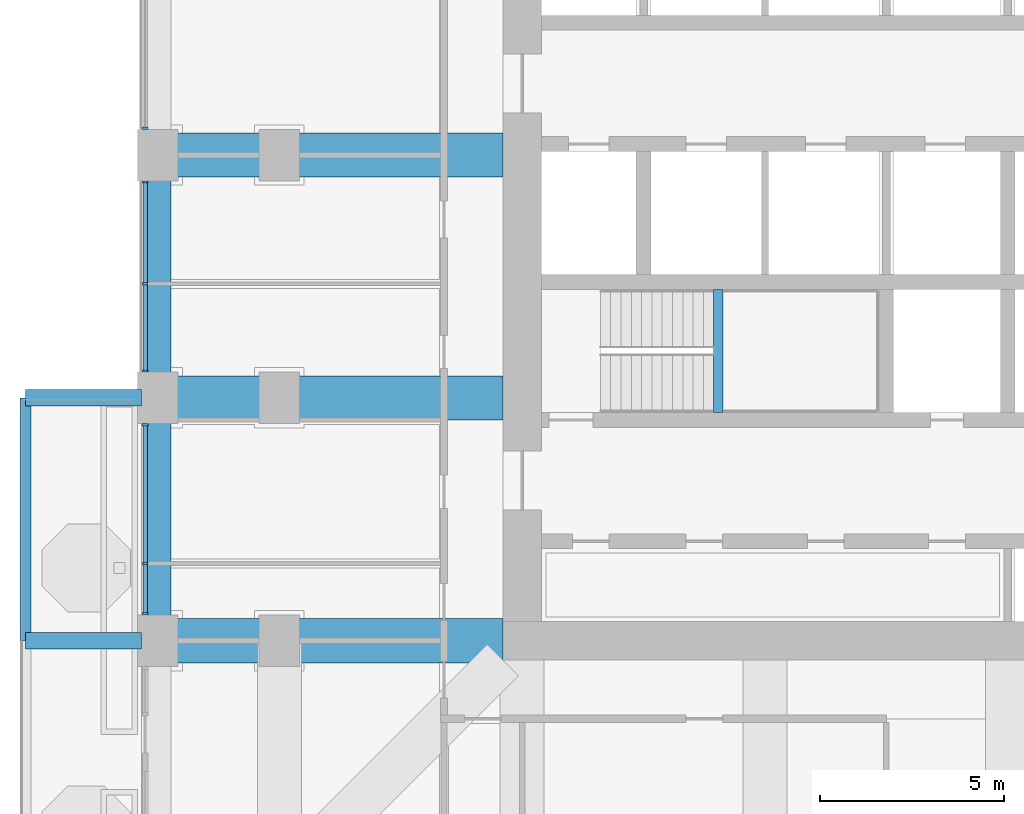
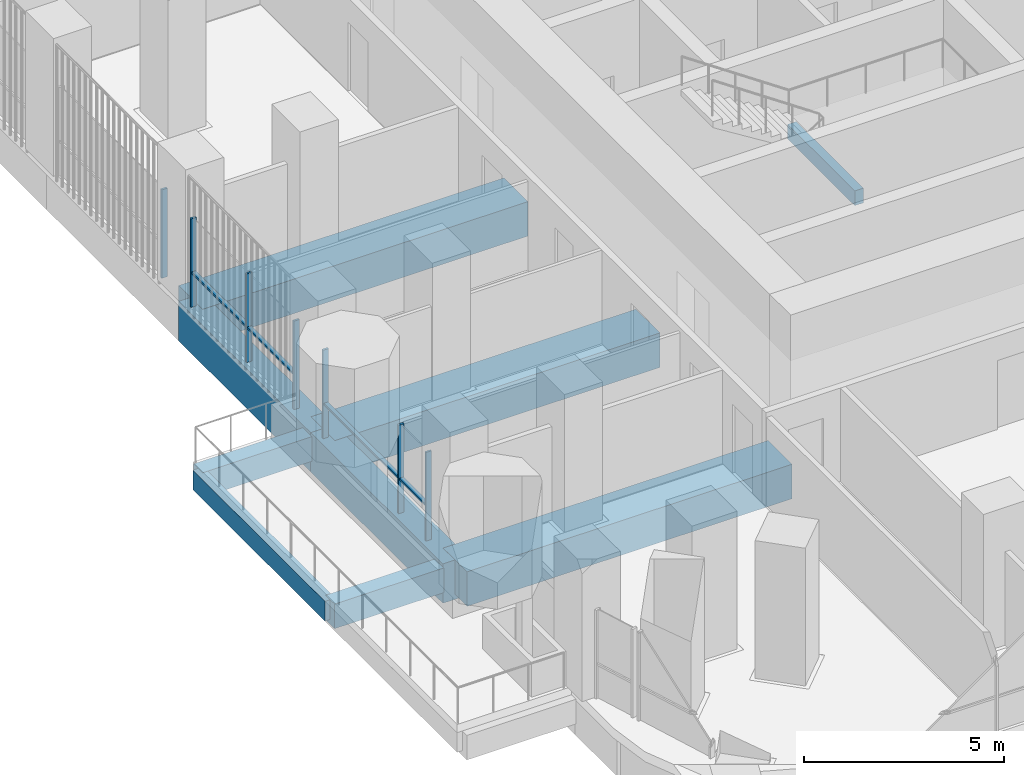
# One storey, part 4 of 21: 11 members, 9 beams, 3 elements without a shape of their own.
"""IFC4 building model written with IfcOpenShell, lengths in metres."""

from ifc_helpers import new_model, si_unit, direction, frame, origin, origin_2d, place, context, subcontext, project, spatial, rectangle, extrude, material, material_profile, profile_set, type_object, element, aggregate, save


model = new_model("IFC4")

# Units and contexts
model_context = context("Model", 3, precision=1e-05, world=origin(), true_north=direction((0.0, 1.0)))
body_context = subcontext(model_context, "Body", "Model", "MODEL_VIEW")
ifc_project = project(units=[si_unit("LENGTHUNIT", "METRE"), si_unit("AREAUNIT", "SQUARE_METRE"), si_unit("VOLUMEUNIT", "CUBIC_METRE"), si_unit("PLANEANGLEUNIT", "RADIAN"), si_unit("MASSUNIT", "GRAM", prefix="KILO")], contexts=[model_context])

# Site, building, storey
site_placement = place(None, origin())
site = spatial("IfcSite", under=ifc_project, at=site_placement, CompositionType="ELEMENT")
building_placement = place(site_placement, origin())
building = spatial("IfcBuilding", under=site, at=building_placement, Name="Cobogo Forest Laboratory Tower", CompositionType="ELEMENT")
storey_placement = place(building_placement, frame((0.0, 0.0, 115.800048828125)))
storey = spatial("IfcBuildingStorey", under=building, at=storey_placement, Name="L26", CompositionType="ELEMENT", Elevation=115.800048828125)

# Beams
ifc_material_1 = material(Name="Concrete HA-40 (C40/50)", Category="concrete")
ifc_material_profile_1 = material_profile(ifc_material_1, rectangle(XDim=0.449951171875, YDim=0.75, at=origin_2d()), Name="RC 450x750")
ifc_profile_set_1 = profile_set([ifc_material_profile_1], Name="Concrete HA-40 (C40/50)")
beam_type_1 = type_object("IfcBeamType", Name="Balcony cantilever beam 450x750", PredefinedType="BEAM", material=ifc_profile_set_1)
for number, where, z_axis, x_axis, name in (
    (1, (2.85009765625, 13.199951171875, -0.625), (-1.0, 0.0, 0.0), (0.0, -1.0, 0.0), "CB1 BAL-W1-C2 L26"),
    (2, (2.85009765625, 19.800048828125, -0.625), (-1.0, 0.0, 0.0), (0.0, -1.0, 0.0), "CB1 BAL-W1-C3 L26"),
):
    element("IfcBeam", number, at=place(storey_placement, frame(where, z_axis=z_axis, x_axis=x_axis)), inside=storey, type_object=beam_type_1, Name=name, PredefinedType="BEAM", context=body_context, shape_type="SweptSolid", body=[
        extrude(rectangle(XDim=0.449951171875, YDim=0.75, at=origin_2d()), origin(), (0.0, 0.0, 1.0), 3.150146484375),
    ])
ifc_material_profile_2 = material_profile(ifc_material_1, rectangle(XDim=0.300048828125, YDim=0.60009765625, at=origin_2d()), Name="RC 300x600")
ifc_profile_set_2 = profile_set([ifc_material_profile_2], Name="Concrete HA-40 (C40/50)")
beam_type_2 = type_object("IfcBeamType", Name="Balcony edge beam 300x600", PredefinedType="BEAM", material=ifc_profile_set_2)
beam_1_placement = place(storey_placement, frame((-0.300048828125, 13.199951171875, -0.550048828125), z_axis=(0.0, 1.0, 0.0), x_axis=(-1.0, 0.0, 0.0)))
element("IfcBeam", 3, at=beam_1_placement, inside=storey, type_object=beam_type_2, Name="BB1 BAL-W1-T2 L26", PredefinedType="BEAM", context=body_context, shape_type="SweptSolid", body=[
    extrude(rectangle(XDim=0.300048828125, YDim=0.60009765625, at=origin_2d()), origin(), (0.0, 0.0, 1.0), 6.60009765625),
])
ifc_material_profile_3 = material_profile(ifc_material_1, rectangle(XDim=0.25, YDim=0.449951171875, at=origin_2d()), Name="RC 250x450")
ifc_profile_set_3 = profile_set([ifc_material_profile_3], Name="Concrete HA-40 (C40/50)")
beam_type_3 = type_object("IfcBeamType", Name="LB1 landing beam 250x450", PredefinedType="BEAM", material=ifc_profile_set_3)
beam_2_placement = place(storey_placement, frame((18.530029296875, 19.39990234375, 1.675048828125), z_axis=(0.0, 1.0, 0.0), x_axis=(-1.0, 0.0, 0.0)))
element("IfcBeam", 4, at=beam_2_placement, inside=storey, type_object=beam_type_3, Name="Landing beam ST1 L26", PredefinedType="BEAM", context=body_context, shape_type="SweptSolid", body=[
    extrude(rectangle(XDim=0.25, YDim=0.449951171875, at=origin_2d()), origin(), (0.0, 0.0, 1.0), 3.35009765625),
])
ifc_material_profile_4 = material_profile(ifc_material_1, rectangle(XDim=1.199951171875, YDim=1.050048828125, at=origin_2d()), Name="RC 1200x1050")
ifc_profile_set_4 = profile_set([ifc_material_profile_4], Name="Concrete HA-40 (C40/50)")
beam_type_4 = type_object("IfcBeamType", Name="Laboratory floor wide beam 1200x1050", PredefinedType="BEAM", material=ifc_profile_set_4)
for number, where, z_axis, x_axis, name in (
    (5, (12.675048828125, 13.199951171875, -0.824951171875), (-1.0, 0.0, 0.0), (0.0, -1.0, 0.0), "RB1 R-C-W L26"),
    (6, (12.675048828125, 19.800048828125, -0.824951171875), (-1.0, 0.0, 0.0), (0.0, -1.0, 0.0), "RB1 R-D-W L26"),
    (7, (12.675048828125, 26.39990234375, -0.824951171875), (-1.0, 0.0, 0.0), (0.0, -1.0, 0.0), "RB1 R-E-W L26"),
):
    element("IfcBeam", number, at=place(storey_placement, frame(where, z_axis=z_axis, x_axis=x_axis)), inside=storey, type_object=beam_type_4, Name=name, PredefinedType="BEAM", context=body_context, shape_type="SweptSolid", body=[
        extrude(rectangle(XDim=1.199951171875, YDim=1.050048828125, at=origin_2d()), origin(), (0.0, 0.0, 1.0), 9.375),
    ])

# Curtain wall, member
ifc_material_2 = material(Name="Aluminium curtain wall", Category="aluminium")
curtain_wall_type = type_object("IfcCurtainWallType", Name="CW-1 unitised curtain wall, clear glazing, laboratory floors zones A and B", PredefinedType="USERDEFINED", material=ifc_material_2)
curtain_wall_1_placement = place(storey_placement, origin())
curtain_wall_1 = element("IfcCurtainWall", 8, at=curtain_wall_1_placement, inside=storey, type_object=curtain_wall_type, Name="Curtain wall 28 L26", ObjectType="UNITISED CURTAIN WALL", PredefinedType="USERDEFINED")
ifc_material_3 = material(Name="Aluminium mullion", Category="aluminium")
ifc_material_profile_5 = material_profile(ifc_material_3, rectangle(XDim=0.06005859375, YDim=0.159912109375, at=origin_2d()), Name="AL 60x160")
ifc_profile_set_5 = profile_set([ifc_material_profile_5], Name="Aluminium mullion")
member_type_1 = type_object("IfcMemberType", Name="MU-1 aluminium mullion 60x160", PredefinedType="MULLION", material=ifc_profile_set_5)
member_1_placement = place(storey_placement, frame((2.949951171875, 27.1298828125, 0.0), z_axis=(0.0, 0.0, 1.0), x_axis=(0.0, -1.0, 0.0)))
member_1 = element("IfcMember", 9, at=member_1_placement, type_object=member_type_1, Name="CW-1 mullion 2", PredefinedType="MULLION", context=body_context, shape_type="SweptSolid", body=[
    extrude(rectangle(XDim=0.06005859375, YDim=0.159912109375, at=origin_2d()), origin(), (0.0, 0.0, 1.0), 2.699951171875),
])
aggregate(curtain_wall_1, [member_1])

# Curtain wall, members
curtain_wall_2_placement = place(storey_placement, origin())
curtain_wall_2 = element("IfcCurtainWall", 10, at=curtain_wall_2_placement, inside=storey, type_object=curtain_wall_type, Name="Curtain wall 29 L26", ObjectType="UNITISED CURTAIN WALL", PredefinedType="USERDEFINED")
member_2_placement = place(storey_placement, frame((2.949951171875, 25.669921875, 0.0), z_axis=(0.0, 0.0, 1.0), x_axis=(0.0, -1.0, 0.0)))
member_2 = element("IfcMember", 11, at=member_2_placement, type_object=member_type_1, Name="CW-1 mullion 1", PredefinedType="MULLION", context=body_context, shape_type="SweptSolid", body=[
    extrude(rectangle(XDim=0.06005859375, YDim=0.159912109375, at=origin_2d()), origin(), (0.0, 0.0, 1.0), 2.699951171875),
])
member_3_placement = place(storey_placement, frame((2.949951171875, 22.89990234375, 0.0), z_axis=(0.0, 0.0, 1.0), x_axis=(0.0, -1.0, 0.0)))
member_3 = element("IfcMember", 12, at=member_3_placement, type_object=member_type_1, Name="CW-1 mullion 2", PredefinedType="MULLION", context=body_context, shape_type="SweptSolid", body=[
    extrude(rectangle(XDim=0.06005859375, YDim=0.159912109375, at=origin_2d()), origin(), (0.0, 0.0, 1.0), 2.699951171875),
])
member_4_placement = place(storey_placement, frame((2.949951171875, 20.530029296875, 0.0), z_axis=(0.0, 0.0, 1.0), x_axis=(0.0, -1.0, 0.0)))
member_4 = element("IfcMember", 13, at=member_4_placement, type_object=member_type_1, Name="CW-1 mullion 3", PredefinedType="MULLION", context=body_context, shape_type="SweptSolid", body=[
    extrude(rectangle(XDim=0.06005859375, YDim=0.159912109375, at=origin_2d()), origin(), (0.0, 0.0, 1.0), 2.699951171875),
])

curtain_wall_3_placement = place(storey_placement, origin())
curtain_wall_3 = element("IfcCurtainWall", 14, at=curtain_wall_3_placement, inside=storey, type_object=curtain_wall_type, Name="Curtain wall 30 L26", ObjectType="UNITISED CURTAIN WALL", PredefinedType="USERDEFINED")
member_5_placement = place(storey_placement, frame((2.949951171875, 19.070068359375, 0.0), z_axis=(0.0, 0.0, 1.0), x_axis=(0.0, -1.0, 0.0)))
member_5 = element("IfcMember", 15, at=member_5_placement, type_object=member_type_1, Name="CW-1 mullion 1", PredefinedType="MULLION", context=body_context, shape_type="SweptSolid", body=[
    extrude(rectangle(XDim=0.06005859375, YDim=0.159912109375, at=origin_2d()), origin(), (0.0, 0.0, 1.0), 2.699951171875),
])
member_6_placement = place(storey_placement, frame((2.949951171875, 15.300048828125, 0.0), z_axis=(0.0, 0.0, 1.0), x_axis=(0.0, -1.0, 0.0)))
member_6 = element("IfcMember", 16, at=member_6_placement, type_object=member_type_1, Name="CW-1 mullion 2", PredefinedType="MULLION", context=body_context, shape_type="SweptSolid", body=[
    extrude(rectangle(XDim=0.06005859375, YDim=0.159912109375, at=origin_2d()), origin(), (0.0, 0.0, 1.0), 2.699951171875),
])
member_7_placement = place(storey_placement, frame((2.949951171875, 13.929931640625, 0.0), z_axis=(0.0, 0.0, 1.0), x_axis=(0.0, -1.0, 0.0)))
member_7 = element("IfcMember", 17, at=member_7_placement, type_object=member_type_1, Name="CW-1 mullion 3", PredefinedType="MULLION", context=body_context, shape_type="SweptSolid", body=[
    extrude(rectangle(XDim=0.06005859375, YDim=0.159912109375, at=origin_2d()), origin(), (0.0, 0.0, 1.0), 2.699951171875),
])

# Beams
ifc_material_profile_6 = material_profile(ifc_material_1, rectangle(XDim=0.699951171875, YDim=1.199951171875, at=origin_2d()), Name="RC 700x1200")
ifc_profile_set_6 = profile_set([ifc_material_profile_6], Name="Concrete HA-40 (C40/50)")
beam_type_5 = type_object("IfcBeamType", Name="Perimeter edge beam 700x1200", PredefinedType="BEAM", material=ifc_profile_set_6)
beam_3_placement = place(storey_placement, frame((3.300048828125, 13.199951171875, -0.900146484375), z_axis=(0.0, 1.0, 0.0), x_axis=(-1.0, 0.0, 0.0)))
element("IfcBeam", 18, at=beam_3_placement, inside=storey, type_object=beam_type_5, Name="EB1 E-W2 L26", PredefinedType="BEAM", context=body_context, shape_type="SweptSolid", body=[
    extrude(rectangle(XDim=0.699951171875, YDim=1.199951171875, at=origin_2d()), origin(), (0.0, 0.0, 1.0), 6.60009765625),
])
beam_4_placement = place(storey_placement, frame((3.300048828125, 19.800048828125, -0.900146484375), z_axis=(0.0, 1.0, 0.0), x_axis=(-1.0, 0.0, 0.0)))
element("IfcBeam", 19, at=beam_4_placement, inside=storey, type_object=beam_type_5, Name="EB1 E-W3 L26", PredefinedType="BEAM", context=body_context, shape_type="SweptSolid", body=[
    extrude(rectangle(XDim=0.699951171875, YDim=1.199951171875, at=origin_2d()), origin(), (0.0, 0.0, 1.0), 6.599853515625),
])

# Member
ifc_material_4 = material(Name="Aluminium transom", Category="aluminium")
ifc_material_profile_7 = material_profile(ifc_material_4, rectangle(XDim=0.1201171875, YDim=0.06005859375, at=origin_2d()), Name="AL 60x120")
ifc_profile_set_7 = profile_set([ifc_material_profile_7], Name="Aluminium transom")
member_type_2 = type_object("IfcMemberType", Name="TR-1 aluminium transom 60x120", PredefinedType="USERDEFINED", material=ifc_profile_set_7)
member_8_placement = place(storey_placement, frame((2.949951171875, 25.639892578125, 1.050048828125), z_axis=(0.0, -1.0, 0.0), x_axis=(1.0, 0.0, 0.0)))
member_8 = element("IfcMember", 20, at=member_8_placement, type_object=member_type_2, Name="CW-1 transom 1.1", ObjectType="TRANSOM", PredefinedType="USERDEFINED", context=body_context, shape_type="SweptSolid", body=[
    extrude(rectangle(XDim=0.1201171875, YDim=0.06005859375, at=origin_2d()), origin(), (0.0, 0.0, 1.0), 2.7099609375),
])

member_9_placement = place(storey_placement, frame((2.949951171875, 22.8701171875, 1.050048828125), z_axis=(0.0, -1.0, 0.0), x_axis=(1.0, 0.0, 0.0)))
member_9 = element("IfcMember", 21, at=member_9_placement, type_object=member_type_2, Name="CW-1 transom 2.1", ObjectType="TRANSOM", PredefinedType="USERDEFINED", context=body_context, shape_type="SweptSolid", body=[
    extrude(rectangle(XDim=0.1201171875, YDim=0.06005859375, at=origin_2d()), origin(), (0.0, 0.0, 1.0), 2.31005859375),
])

aggregate(curtain_wall_2, [member_2, member_3, member_4, member_8, member_9])

member_10_placement = place(storey_placement, frame((2.949951171875, 19.0400390625, 1.050048828125), z_axis=(0.0, -1.0, 0.0), x_axis=(1.0, 0.0, 0.0)))
member_10 = element("IfcMember", 22, at=member_10_placement, type_object=member_type_2, Name="CW-1 transom 1.1", ObjectType="TRANSOM", PredefinedType="USERDEFINED", context=body_context, shape_type="SweptSolid", body=[
    extrude(rectangle(XDim=0.1201171875, YDim=0.06005859375, at=origin_2d()), origin(), (0.0, 0.0, 1.0), 3.7099609375),
])

member_11_placement = place(storey_placement, frame((2.949951171875, 15.27001953125, 1.050048828125), z_axis=(0.0, -1.0, 0.0), x_axis=(1.0, 0.0, 0.0)))
member_11 = element("IfcMember", 23, at=member_11_placement, type_object=member_type_2, Name="CW-1 transom 2.1", ObjectType="TRANSOM", PredefinedType="USERDEFINED", context=body_context, shape_type="SweptSolid", body=[
    extrude(rectangle(XDim=0.1201171875, YDim=0.06005859375, at=origin_2d()), origin(), (0.0, 0.0, 1.0), 1.31005859375),
])

aggregate(curtain_wall_3, [member_5, member_6, member_7, member_10, member_11])

save(model, "model.ifc")
